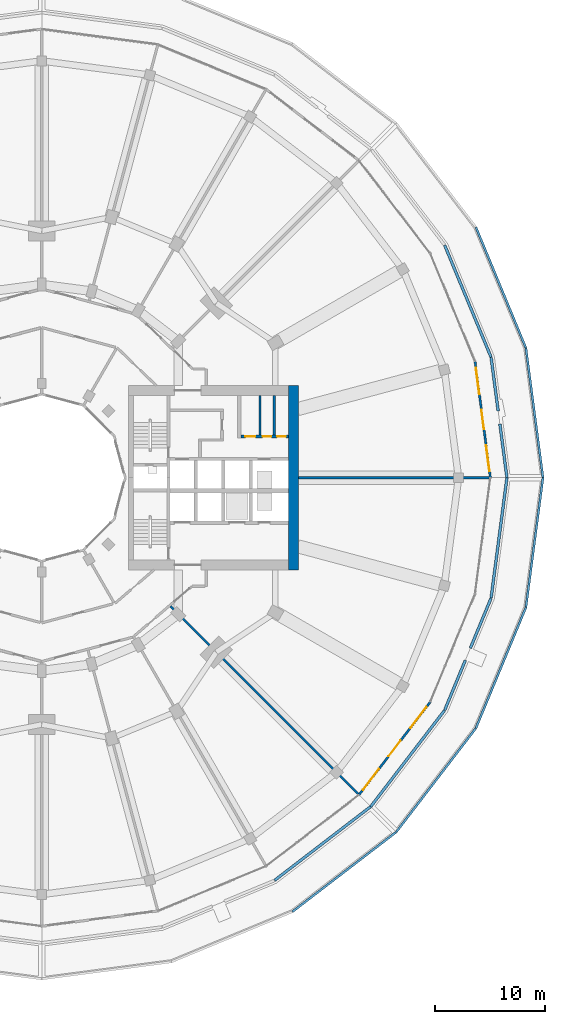
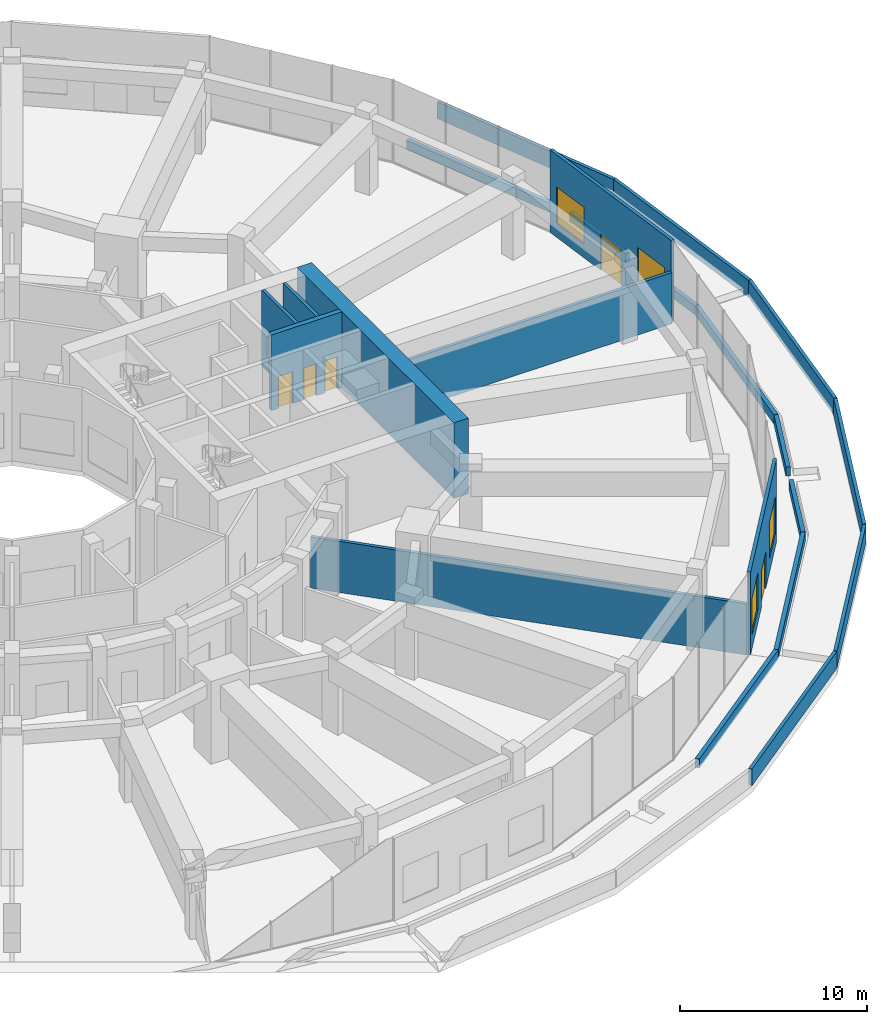
# One storey, part 26 of 30: 22 walls, 5 doors, 4 windows, 9 openings.
"""IFC4 building model written with IfcOpenShell, lengths in metres."""

from ifc_helpers import new_model, si_unit, direction, frame, frame_2d, origin, place, context, subcontext, project, spatial, rectangle, extrude, material, layer, layer_set, type_object, element, fill, save


model = new_model("IFC4")

# Units and contexts
model_context = context("Model", 3, precision=1e-05, world=origin(), true_north=direction((0.0, 1.0)))
body_context = subcontext(model_context, "Body", "Model", "MODEL_VIEW")
ifc_project = project(units=[si_unit("LENGTHUNIT", "METRE"), si_unit("AREAUNIT", "SQUARE_METRE"), si_unit("VOLUMEUNIT", "CUBIC_METRE"), si_unit("PLANEANGLEUNIT", "RADIAN"), si_unit("MASSUNIT", "GRAM", prefix="KILO")], contexts=[model_context])

# Site, building, storey
site_placement = place(None, origin())
site = spatial("IfcSite", under=ifc_project, at=site_placement, CompositionType="ELEMENT")
building_placement = place(site_placement, origin())
building = spatial("IfcBuilding", under=site, at=building_placement, Name="Torre Brocal", CompositionType="ELEMENT")
storey_placement = place(building_placement, frame((0.0, 0.0, 7.0)))
storey = spatial("IfcBuildingStorey", under=building, at=storey_placement, Name="L01", CompositionType="ELEMENT", Elevation=7.0)

# Walls
ifc_material_1 = material(Name="Masonry block", Category="masonry")
ifc_layer_1 = layer(ifc_material_1, 0.199951171875)
ifc_layer_set_1 = layer_set([ifc_layer_1], Name="Masonry block")
wall_type_1 = type_object("IfcWallType", Name="CORE PARTITION 200 UNDER 450 SLAB", PredefinedType="PARTITIONING", material=ifc_layer_set_1)
for number, where, z_axis, x_axis, name in (
    (1, (99.889892578125, 78.89990234375, 0.0), (0.0, 0.0, 1.0), (0.0, 1.0, 0.0), "Wall CP200-S450"),
    (2, (101.195068359375, 78.89990234375, 0.0), (0.0, 0.0, 1.0), (0.0, 1.0, 0.0), "Wall CP200-S450"),
):
    element("IfcWall", number, at=place(storey_placement, frame(where, z_axis=z_axis, x_axis=x_axis)), inside=storey, type_object=wall_type_1, Name=name, PredefinedType="PARTITIONING", context=body_context, shape_type="SweptSolid", body=[
        extrude(rectangle(XDim=3.60009765625, YDim=0.199951171875, at=frame_2d((1.800048828125, 0.0))), origin(), (0.0, 0.0, 1.0), 4.949951171875),
    ])

# Wall, openings, doors
ifc_material_2 = material(Name="Concrete C80", Category="concrete")
ifc_layer_2 = layer(ifc_material_2, 0.300048828125)
ifc_layer_set_2 = layer_set([ifc_layer_2], Name="Concrete C80")
wall_type_2 = type_object("IfcWallType", Name="CORE WALL 300 C80 UNDER 450 SLAB", PredefinedType="SHEAR", material=ifc_layer_set_2)
wall_1_placement = place(storey_placement, frame((98.14990234375, 78.75, 0.0), z_axis=(0.0, 0.0, 1.0), x_axis=(1.0, 0.0, 0.0)))
wall_1 = element("IfcWall", 3, at=wall_1_placement, inside=storey, type_object=wall_type_2, Name="Wall CW300-80-S450", PredefinedType="SHEAR", context=body_context, shape_type="SweptSolid", body=[
    extrude(rectangle(XDim=4.35009765625, YDim=0.300048828125, at=frame_2d((2.175048828125, 0.0))), origin(), (0.0, 0.0, 1.0), 4.949951171875),
])
opening_1_placement = place(wall_1_placement, frame((0.419921875, 0.0, 0.0)))
opening_1 = element("IfcOpeningElement", 4, at=opening_1_placement, cuts=wall_1, Name="Opening E-D05", PredefinedType="OPENING", context=body_context, shape_type="SweptSolid", body=[
    extrude(rectangle(XDim=0.89990234375, YDim=2.10009765625, at=frame_2d((0.449951171875, 1.050048828125))), frame((0.0, 0.159912109375, 0.0), z_axis=(0.0, -1.0, 0.0), x_axis=(1.0, 0.0, 0.0)), (0.0, 0.0, 1.0), 0.320068359375),
])
opening_2_placement = place(wall_1_placement, frame((1.992431640625, 0.0, 0.0)))
opening_2 = element("IfcOpeningElement", 5, at=opening_2_placement, cuts=wall_1, Name="Opening E-D22", PredefinedType="OPENING", context=body_context, shape_type="SweptSolid", body=[
    extrude(rectangle(XDim=0.800048828125, YDim=2.10009765625, at=frame_2d((0.39990234375, 1.050048828125))), frame((0.0, 0.159912109375, 0.0), z_axis=(0.0, -1.0, 0.0), x_axis=(1.0, 0.0, 0.0)), (0.0, 0.0, 1.0), 0.320068359375),
])
opening_3_placement = place(wall_1_placement, frame((3.297607421875, 0.0, 0.0)))
opening_3 = element("IfcOpeningElement", 6, at=opening_3_placement, cuts=wall_1, Name="Opening E-D25", PredefinedType="OPENING", context=body_context, shape_type="SweptSolid", body=[
    extrude(rectangle(XDim=0.800048828125, YDim=2.10009765625, at=frame_2d((0.39990234375, 1.050048828125))), frame((0.0, 0.159912109375, 0.0), z_axis=(0.0, -1.0, 0.0), x_axis=(1.0, 0.0, 0.0)), (0.0, 0.0, 1.0), 0.320068359375),
])
ifc_material_3 = material(Name="Steel A653", Category="steel")
door_type_1 = type_object("IfcDoorType", Name="ROOM DOOR FD30S 800X2100", OperationType="SINGLE_SWING_LEFT", PredefinedType="DOOR", material=ifc_material_3)
door_1_placement = place(opening_2_placement, origin())
door_1 = element("IfcDoor", 7, at=door_1_placement, inside=storey, type_object=door_type_1, Name="Door E-D22", OperationType="SINGLE_SWING_RIGHT", OverallHeight=2.10009765625, OverallWidth=0.800048828125, PredefinedType="DOOR", context=body_context, shape_type="SweptSolid", body=[
    extrude(rectangle(XDim=0.800048828125, YDim=2.10009765625, at=frame_2d((0.39990234375, 1.050048828125))), frame((0.0, 0.02490234375, 0.0), z_axis=(0.0, -1.0, 0.0), x_axis=(1.0, 0.0, 0.0)), (0.0, 0.0, 1.0), 0.050048828125),
])
fill(opening_2, door_1)
door_2_placement = place(opening_3_placement, origin())
door_2 = element("IfcDoor", 8, at=door_2_placement, inside=storey, type_object=door_type_1, Name="Door E-D25", OperationType="SINGLE_SWING_LEFT", OverallHeight=2.10009765625, OverallWidth=0.800048828125, PredefinedType="DOOR", context=body_context, shape_type="SweptSolid", body=[
    extrude(rectangle(XDim=0.800048828125, YDim=2.10009765625, at=frame_2d((0.39990234375, 1.050048828125))), frame((0.0, 0.02490234375, 0.0), z_axis=(0.0, -1.0, 0.0), x_axis=(1.0, 0.0, 0.0)), (0.0, 0.0, 1.0), 0.050048828125),
])
fill(opening_3, door_2)
ifc_material_4 = material(Name="Steel A653", Category="steel")
door_type_2 = type_object("IfcDoorType", Name="ROOM DOOR FD30S 900X2100", OperationType="SINGLE_SWING_LEFT", PredefinedType="DOOR", material=ifc_material_4)
door_3_placement = place(opening_1_placement, origin())
door_3 = element("IfcDoor", 9, at=door_3_placement, inside=storey, type_object=door_type_2, Name="Door E-D05", OperationType="SINGLE_SWING_RIGHT", OverallHeight=2.10009765625, OverallWidth=0.89990234375, PredefinedType="DOOR", context=body_context, shape_type="SweptSolid", body=[
    extrude(rectangle(XDim=0.89990234375, YDim=2.10009765625, at=frame_2d((0.449951171875, 1.050048828125))), frame((0.0, 0.02490234375, 0.0), z_axis=(0.0, -1.0, 0.0), x_axis=(1.0, 0.0, 0.0)), (0.0, 0.0, 1.0), 0.050048828125),
])
fill(opening_1, door_3)

# Wall
ifc_material_5 = material(Name="Concrete C80", Category="concrete")
ifc_layer_3 = layer(ifc_material_5, 0.89990234375)
ifc_layer_set_3 = layer_set([ifc_layer_3], Name="Concrete C80")
wall_type_3 = type_object("IfcWallType", Name="CORE WALL 900 C80 UNDER 450 SLAB", PredefinedType="SHEAR", material=ifc_layer_set_3)
wall_2_placement = place(storey_placement, frame((102.949951171875, 66.60009765625, 0.0), z_axis=(0.0, 0.0, 1.0), x_axis=(0.0, 1.0, 0.0)))
element("IfcWall", 10, at=wall_2_placement, inside=storey, type_object=wall_type_3, Name="Wall CW900-80-S450", PredefinedType="SHEAR", context=body_context, shape_type="SweptSolid", body=[
    extrude(rectangle(XDim=16.7998046875, YDim=0.89990234375, at=frame_2d((8.39990234375, 0.0))), origin(), (0.0, 0.0, 1.0), 4.949951171875),
])

# Wall, openings, windows, door
ifc_material_6 = material(Name="Concrete C40", Category="concrete")
ifc_layer_4 = layer(ifc_material_6, 0.199951171875)
ifc_layer_set_4 = layer_set([ifc_layer_4], Name="Concrete C40")
wall_type_4 = type_object("IfcWallType", Name="EXTERNAL WALL 200", PredefinedType="NOTDEFINED", material=ifc_layer_set_4)
wall_3_placement = place(storey_placement, frame((120.899169921875, 75.0, 0.0), z_axis=(0.0, 0.0, 1.0), x_axis=(-0.130521944298, 0.991445420614, 0.0)))
wall_3 = element("IfcWall", 11, at=wall_3_placement, inside=storey, type_object=wall_type_4, Name="EXTERNAL WALL", PredefinedType="NOTDEFINED", context=body_context, shape_type="SweptSolid", body=[
    extrude(rectangle(XDim=10.6767578125, YDim=0.199951171875, at=frame_2d((5.33837890625, 0.0))), origin(), (0.0, 0.0, 1.0), 5.39990234375),
])
opening_4_placement = place(wall_3_placement, frame((0.57958984375, 0.0, 0.89990234375)))
opening_4 = element("IfcOpeningElement", 12, at=opening_4_placement, cuts=wall_3, Name="Opening W6", PredefinedType="OPENING", context=body_context, shape_type="SweptSolid", body=[
    extrude(rectangle(XDim=2.39990234375, YDim=2.39990234375, at=frame_2d((1.199951171875, 1.199951171875))), frame((0.0, 0.10986328125, 0.0), z_axis=(0.0, -1.0, 0.0), x_axis=(1.0, 0.0, 0.0)), (0.0, 0.0, 1.0), 0.219970703125),
])
opening_5_placement = place(wall_3_placement, frame((4.4384765625, 0.0, 0.0)))
opening_5 = element("IfcOpeningElement", 13, at=opening_5_placement, cuts=wall_3, Name="Opening L01-E01", PredefinedType="OPENING", context=body_context, shape_type="SweptSolid", body=[
    extrude(rectangle(XDim=1.800048828125, YDim=2.39990234375, at=frame_2d((0.89990234375, 1.199951171875))), frame((0.0, 0.10986328125, 0.0), z_axis=(0.0, -1.0, 0.0), x_axis=(1.0, 0.0, 0.0)), (0.0, 0.0, 1.0), 0.219970703125),
])
opening_6_placement = place(wall_3_placement, frame((7.697265625, 0.0, 0.89990234375)))
opening_6 = element("IfcOpeningElement", 14, at=opening_6_placement, cuts=wall_3, Name="Opening W6", PredefinedType="OPENING", context=body_context, shape_type="SweptSolid", body=[
    extrude(rectangle(XDim=2.39990234375, YDim=2.39990234375, at=frame_2d((1.199951171875, 1.199951171875))), frame((0.0, 0.10986328125, 0.0), z_axis=(0.0, -1.0, 0.0), x_axis=(1.0, 0.0, 0.0)), (0.0, 0.0, 1.0), 0.219970703125),
])
ifc_material_7 = material(Name="Aluminium and glass", Category="aluminium")
window_type = type_object("IfcWindowType", Name="PODIUM WINDOW 2400X2400", PartitioningType="SINGLE_PANEL", PredefinedType="WINDOW", material=ifc_material_7)
window_1_placement = place(opening_4_placement, origin())
window_1 = element("IfcWindow", 15, at=window_1_placement, inside=storey, type_object=window_type, Name="PODIUM WINDOW 2400X2400", OverallHeight=2.39990234375, OverallWidth=2.39990234375, PartitioningType="SINGLE_PANEL", PredefinedType="WINDOW", context=body_context, shape_type="SweptSolid", body=[
    extrude(rectangle(XDim=2.39990234375, YDim=2.39990234375, at=frame_2d((1.199951171875, 1.199951171875))), frame((0.0, 0.030029296875, 0.0), z_axis=(0.0, -1.0, 0.0), x_axis=(1.0, 0.0, 0.0)), (0.0, 0.0, 1.0), 0.06005859375),
])
fill(opening_4, window_1)
window_2_placement = place(opening_6_placement, origin())
window_2 = element("IfcWindow", 16, at=window_2_placement, inside=storey, type_object=window_type, Name="PODIUM WINDOW 2400X2400", OverallHeight=2.39990234375, OverallWidth=2.39990234375, PartitioningType="SINGLE_PANEL", PredefinedType="WINDOW", context=body_context, shape_type="SweptSolid", body=[
    extrude(rectangle(XDim=2.39990234375, YDim=2.39990234375, at=frame_2d((1.199951171875, 1.199951171875))), frame((0.0, 0.030029296875, 0.0), z_axis=(0.0, -1.0, 0.0), x_axis=(1.0, 0.0, 0.0)), (0.0, 0.0, 1.0), 0.06005859375),
])
fill(opening_6, window_2)
ifc_material_8 = material(Name="Aluminium and glass", Category="aluminium")
door_type_3 = type_object("IfcDoorType", Name="TERRACE DOUBLE DOOR 1800X2400", OperationType="DOUBLE_DOOR_SINGLE_SWING", PredefinedType="DOOR", material=ifc_material_8)
door_4_placement = place(opening_5_placement, frame((1.800048828125, 0.0, 0.0), z_axis=(0.0, 0.0, 1.0), x_axis=(-1.0, 0.0, 0.0)))
door_4 = element("IfcDoor", 17, at=door_4_placement, inside=storey, type_object=door_type_3, Name="DOOR L01-E01", OperationType="DOUBLE_DOOR_SINGLE_SWING", OverallHeight=2.39990234375, OverallWidth=1.800048828125, PredefinedType="DOOR", context=body_context, shape_type="SweptSolid", body=[
    extrude(rectangle(XDim=1.800048828125, YDim=2.39990234375, at=frame_2d((0.89990234375, 1.199951171875))), frame((0.0, 0.02490234375, 0.0), z_axis=(0.0, -1.0, 0.0), x_axis=(1.0, 0.0, 0.0)), (0.0, 0.0, 1.0), 0.050048828125),
])
fill(opening_5, door_4)

wall_4_placement = place(storey_placement, frame((108.920166015625, 46.079833984375, 0.0), z_axis=(0.0, 0.0, 1.0), x_axis=(0.608744486714, 0.793366340284, 0.0)))
wall_4 = element("IfcWall", 18, at=wall_4_placement, inside=storey, type_object=wall_type_4, Name="EXTERNAL WALL", PredefinedType="NOTDEFINED", context=body_context, shape_type="SweptSolid", body=[
    extrude(rectangle(XDim=10.677001953125, YDim=0.199951171875, at=frame_2d((5.33837890625, 0.0))), origin(), (0.0, 0.0, 1.0), 5.39990234375),
])
opening_7_placement = place(wall_4_placement, frame((0.57958984375, 0.0, 0.89990234375)))
opening_7 = element("IfcOpeningElement", 19, at=opening_7_placement, cuts=wall_4, Name="Opening W6", PredefinedType="OPENING", context=body_context, shape_type="SweptSolid", body=[
    extrude(rectangle(XDim=2.39990234375, YDim=2.39990234375, at=frame_2d((1.199951171875, 1.199951171875))), frame((0.0, 0.10986328125, 0.0), z_axis=(0.0, -1.0, 0.0), x_axis=(1.0, 0.0, 0.0)), (0.0, 0.0, 1.0), 0.219970703125),
])
opening_8_placement = place(wall_4_placement, frame((4.4384765625, 0.0, 0.0)))
opening_8 = element("IfcOpeningElement", 20, at=opening_8_placement, cuts=wall_4, Name="Opening L01-E08", PredefinedType="OPENING", context=body_context, shape_type="SweptSolid", body=[
    extrude(rectangle(XDim=1.800048828125, YDim=2.39990234375, at=frame_2d((0.89990234375, 1.199951171875))), frame((0.0, 0.10986328125, 0.0), z_axis=(0.0, -1.0, 0.0), x_axis=(1.0, 0.0, 0.0)), (0.0, 0.0, 1.0), 0.219970703125),
])
opening_9_placement = place(wall_4_placement, frame((7.697265625, 0.0, 0.89990234375)))
opening_9 = element("IfcOpeningElement", 21, at=opening_9_placement, cuts=wall_4, Name="Opening W6", PredefinedType="OPENING", context=body_context, shape_type="SweptSolid", body=[
    extrude(rectangle(XDim=2.39990234375, YDim=2.39990234375, at=frame_2d((1.199951171875, 1.199951171875))), frame((0.0, 0.10986328125, 0.0), z_axis=(0.0, -1.0, 0.0), x_axis=(1.0, 0.0, 0.0)), (0.0, 0.0, 1.0), 0.219970703125),
])
window_3_placement = place(opening_7_placement, origin())
window_3 = element("IfcWindow", 22, at=window_3_placement, inside=storey, type_object=window_type, Name="PODIUM WINDOW 2400X2400", OverallHeight=2.39990234375, OverallWidth=2.39990234375, PartitioningType="SINGLE_PANEL", PredefinedType="WINDOW", context=body_context, shape_type="SweptSolid", body=[
    extrude(rectangle(XDim=2.39990234375, YDim=2.39990234375, at=frame_2d((1.199951171875, 1.199951171875))), frame((0.0, 0.030029296875, 0.0), z_axis=(0.0, -1.0, 0.0), x_axis=(1.0, 0.0, 0.0)), (0.0, 0.0, 1.0), 0.06005859375),
])
fill(opening_7, window_3)
window_4_placement = place(opening_9_placement, origin())
window_4 = element("IfcWindow", 23, at=window_4_placement, inside=storey, type_object=window_type, Name="PODIUM WINDOW 2400X2400", OverallHeight=2.39990234375, OverallWidth=2.39990234375, PartitioningType="SINGLE_PANEL", PredefinedType="WINDOW", context=body_context, shape_type="SweptSolid", body=[
    extrude(rectangle(XDim=2.39990234375, YDim=2.39990234375, at=frame_2d((1.199951171875, 1.199951171875))), frame((0.0, 0.030029296875, 0.0), z_axis=(0.0, -1.0, 0.0), x_axis=(1.0, 0.0, 0.0)), (0.0, 0.0, 1.0), 0.06005859375),
])
fill(opening_9, window_4)
door_5_placement = place(opening_8_placement, frame((1.800048828125, 0.0, 0.0), z_axis=(0.0, 0.0, 1.0), x_axis=(-1.0, 0.0, 0.0)))
door_5 = element("IfcDoor", 24, at=door_5_placement, inside=storey, type_object=door_type_3, Name="DOOR L01-E08", OperationType="DOUBLE_DOOR_SINGLE_SWING", OverallHeight=2.39990234375, OverallWidth=1.800048828125, PredefinedType="DOOR", context=body_context, shape_type="SweptSolid", body=[
    extrude(rectangle(XDim=1.800048828125, YDim=2.39990234375, at=frame_2d((0.89990234375, 1.199951171875))), frame((0.0, 0.02490234375, 0.0), z_axis=(0.0, -1.0, 0.0), x_axis=(1.0, 0.0, 0.0)), (0.0, 0.0, 1.0), 0.050048828125),
])
fill(opening_8, door_5)

# Walls
ifc_material_9 = material(Name="Concrete C40", Category="concrete")
ifc_layer_5 = layer(ifc_material_9, 0.199951171875)
ifc_layer_set_5 = layer_set([ifc_layer_5], Name="Concrete C40")
wall_type_5 = type_object("IfcWallType", Name="PARAPET WALL 200 THICK 1100 HIGH", PredefinedType="PARAPET", material=ifc_layer_set_5)
wall_5_placement = place(storey_placement, frame((125.697509765625, 75.0, 0.0), z_axis=(0.0, 0.0, 1.0), x_axis=(-0.130530300386, -0.991444320515, 0.0)))
element("IfcWall", 25, at=wall_5_placement, inside=storey, type_object=wall_type_5, Name="PARAPET WALL 1", PredefinedType="PARAPET", context=body_context, shape_type="SweptSolid", body=[
    extrude(rectangle(XDim=11.916259765625, YDim=0.199951171875, at=frame_2d((5.9580078125, 0.0))), origin(), (0.0, 0.0, 1.0), 1.10009765625),
])
wall_6_placement = place(storey_placement, frame((124.13525390625, 63.160400390625, 0.0), z_axis=(0.0, 0.0, 1.0), x_axis=(-0.382693560434, -0.923875337263, 0.0)))
element("IfcWall", 26, at=wall_6_placement, inside=storey, type_object=wall_type_5, Name="PARAPET WALL 2", PredefinedType="PARAPET", context=body_context, shape_type="SweptSolid", body=[
    extrude(rectangle(XDim=11.90283203125, YDim=0.199951171875, at=frame_2d((5.951416015625, 0.0))), origin(), (0.0, 0.0, 1.0), 1.10009765625),
])
for number, where, z_axis, x_axis, name in (
    (27, (119.567138671875, 52.140869140625, 0.0), (0.0, 0.0, 1.0), (-0.608758745152, -0.79335539968, 0.0), "PARAPET WALL 3"),
    (28, (112.302490234375, 42.678955078125, 0.0), (0.0, 0.0, 1.0), (-0.79335539968, -0.608758745152, 0.0), "PARAPET WALL 4"),
):
    element("IfcWall", number, at=place(storey_placement, frame(where, z_axis=z_axis, x_axis=x_axis)), inside=storey, type_object=wall_type_5, Name=name, PredefinedType="PARAPET", context=body_context, shape_type="SweptSolid", body=[
        extrude(rectangle(XDim=11.903076171875, YDim=0.199951171875, at=frame_2d((5.95166015625, 0.0))), origin(), (0.0, 0.0, 1.0), 1.10009765625),
    ])
wall_7_placement = place(storey_placement, frame((119.580078125, 97.83642578125, 0.0), z_axis=(0.0, 0.0, 1.0), x_axis=(0.382693560434, -0.923875337263, 0.0)))
element("IfcWall", 29, at=wall_7_placement, inside=storey, type_object=wall_type_5, Name="PARAPET WALL 23", PredefinedType="PARAPET", context=body_context, shape_type="SweptSolid", body=[
    extrude(rectangle(XDim=11.90283203125, YDim=0.199951171875, at=frame_2d((5.951416015625, 0.0))), origin(), (0.0, 0.0, 1.0), 1.10009765625),
])
wall_8_placement = place(storey_placement, frame((124.14208984375, 86.814208984375, 0.0), z_axis=(0.0, 0.0, 1.0), x_axis=(0.130530300386, -0.991444320515, 0.0)))
element("IfcWall", 30, at=wall_8_placement, inside=storey, type_object=wall_type_5, Name="PARAPET WALL 24", PredefinedType="PARAPET", context=body_context, shape_type="SweptSolid", body=[
    extrude(rectangle(XDim=11.916259765625, YDim=0.199951171875, at=frame_2d((5.9580078125, 0.0))), origin(), (0.0, 0.0, 1.0), 1.10009765625),
])
ifc_material_10 = material(Name="Gypsum board", Category="Gypsum")
ifc_layer_6 = layer(ifc_material_10, 0.199951171875)
ifc_layer_set_6 = layer_set([ifc_layer_6], Name="Gypsum board")
wall_type_6 = type_object("IfcWallType", Name="PARTITION 200 EI60 UNDER BEAM 2050", PredefinedType="PARTITIONING", material=ifc_layer_set_6)
wall_9_placement = place(storey_placement, frame((91.734619140625, 63.26513671875, 0.0), z_axis=(0.0, 0.0, 1.0), x_axis=(0.707111824906, -0.707101737431, 0.0)))
element("IfcWall", 31, at=wall_9_placement, inside=storey, type_object=wall_type_6, Name="PARTY PARTITION", PredefinedType="PARTITIONING", context=body_context, shape_type="SweptSolid", body=[
    extrude(rectangle(XDim=24.202392578125, YDim=0.199951171875, at=frame_2d((12.10107421875, 0.0))), origin(), (0.0, 0.0, 1.0), 3.35009765625),
])
wall_10_placement = place(storey_placement, frame((103.40087890625, 75.0, 0.0), z_axis=(0.0, 0.0, 1.0), x_axis=(1.0, 0.0, 0.0)))
element("IfcWall", 32, at=wall_10_placement, inside=storey, type_object=wall_type_6, Name="PARTY PARTITION", PredefinedType="PARTITIONING", context=body_context, shape_type="SweptSolid", body=[
    extrude(rectangle(XDim=17.396240234375, YDim=0.199951171875, at=frame_2d((8.6982421875, 0.0))), origin(), (0.0, 0.0, 1.0), 3.35009765625),
])
ifc_material_11 = material(Name="Concrete C35", Category="concrete")
ifc_layer_7 = layer(ifc_material_11, 0.25)
ifc_layer_set_7 = layer_set([ifc_layer_7], Name="Concrete C35")
wall_type_7 = type_object("IfcWallType", Name="PLANTER WALL 250 THICK 600 HIGH", PredefinedType="USERDEFINED", material=ifc_layer_set_7)
wall_11_placement = place(storey_placement, frame((116.736328125, 96.19091796875, 0.0), z_axis=(0.0, 0.0, 1.0), x_axis=(0.382676686443, -0.923882326735, 0.0)))
element("IfcWall", 33, at=wall_11_placement, inside=storey, type_object=wall_type_7, Name="PLANTER", ObjectType="PLANTER", PredefinedType="USERDEFINED", context=body_context, shape_type="SweptSolid", body=[
    extrude(rectangle(XDim=11.0390625, YDim=0.25, at=frame_2d((5.51953125, 0.0))), origin(), (0.0, 0.0, 1.0), 0.60009765625),
])
wall_12_placement = place(storey_placement, frame((120.968994140625, 85.960693359375, 0.0), z_axis=(0.0, 0.0, 1.0), x_axis=(0.130525121694, -0.991445002311, 0.0)))
element("IfcWall", 34, at=wall_12_placement, inside=storey, type_object=wall_type_7, Name="PLANTER", ObjectType="PLANTER", PredefinedType="USERDEFINED", context=body_context, shape_type="SweptSolid", body=[
    extrude(rectangle(XDim=4.919189453125, YDim=0.25, at=frame_2d((2.45947265625, 0.0))), origin(), (0.0, 0.0, 1.0), 0.60009765625),
])
wall_13_placement = place(storey_placement, frame((121.767822265625, 79.8935546875, 0.0), z_axis=(0.0, 0.0, 1.0), x_axis=(0.130533842111, -0.991443854217, 0.0)))
element("IfcWall", 35, at=wall_13_placement, inside=storey, type_object=wall_type_7, Name="PLANTER", ObjectType="PLANTER", PredefinedType="USERDEFINED", context=body_context, shape_type="SweptSolid", body=[
    extrude(rectangle(XDim=4.935791015625, YDim=0.25, at=frame_2d((2.4677734375, 0.0))), origin(), (0.0, 0.0, 1.0), 0.60009765625),
])
wall_14_placement = place(storey_placement, frame((109.989990234375, 45.010009765625, 0.0), z_axis=(0.0, 0.0, 1.0), x_axis=(-0.793363892205, -0.60874767724, 0.0)))
element("IfcWall", 36, at=wall_14_placement, inside=storey, type_object=wall_type_7, Name="PLANTER", ObjectType="PLANTER", PredefinedType="USERDEFINED", context=body_context, shape_type="SweptSolid", body=[
    extrude(rectangle(XDim=11.055419921875, YDim=0.25, at=frame_2d((5.52783203125, 0.0))), origin(), (0.0, 0.0, 1.0), 0.60009765625),
])
wall_15_placement = place(storey_placement, frame((122.412109375, 75.0, 0.0), z_axis=(0.0, 0.0, 1.0), x_axis=(-0.130536201932, -0.991443543519, 0.0)))
element("IfcWall", 37, at=wall_15_placement, inside=storey, type_object=wall_type_7, Name="PLANTER", ObjectType="PLANTER", PredefinedType="USERDEFINED", context=body_context, shape_type="SweptSolid", body=[
    extrude(rectangle(XDim=11.05517578125, YDim=0.25, at=frame_2d((5.527587890625, 0.0))), origin(), (0.0, 0.0, 1.0), 0.60009765625),
])
for number, where, z_axis, x_axis, name in (
    (38, (120.960693359375, 64.0078125, 0.0), (0.0, 0.0, 1.0), (-0.382683446042, -0.923879526846, 0.0), "PLANTER"),
    (39, (118.618896484375, 58.35400390625, 0.0), (0.0, 0.0, 1.0), (-0.382683446042, -0.923879526846, 0.0), "PLANTER"),
):
    element("IfcWall", number, at=place(storey_placement, frame(where, z_axis=z_axis, x_axis=x_axis)), inside=storey, type_object=wall_type_7, Name=name, ObjectType="PLANTER", PredefinedType="USERDEFINED", context=body_context, shape_type="SweptSolid", body=[
        extrude(rectangle(XDim=4.91943359375, YDim=0.25, at=frame_2d((2.459716796875, 0.0))), origin(), (0.0, 0.0, 1.0), 0.60009765625),
    ])
wall_16_placement = place(storey_placement, frame((116.719970703125, 53.781005859375, 0.0), z_axis=(0.0, 0.0, 1.0), x_axis=(-0.608757651929, -0.793356238532, 0.0)))
element("IfcWall", 40, at=wall_16_placement, inside=storey, type_object=wall_type_7, Name="PLANTER", ObjectType="PLANTER", PredefinedType="USERDEFINED", context=body_context, shape_type="SweptSolid", body=[
    extrude(rectangle(XDim=11.04736328125, YDim=0.25, at=frame_2d((5.523681640625, 0.0))), origin(), (0.0, 0.0, 1.0), 0.60009765625),
])

save(model, "model.ifc")
